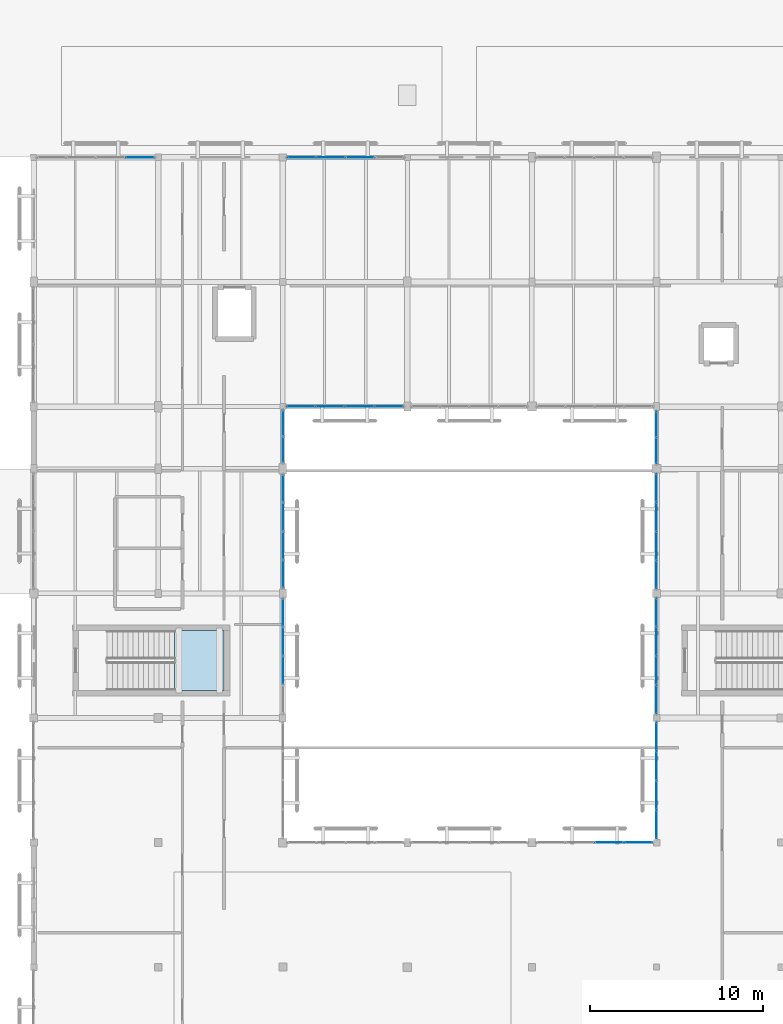
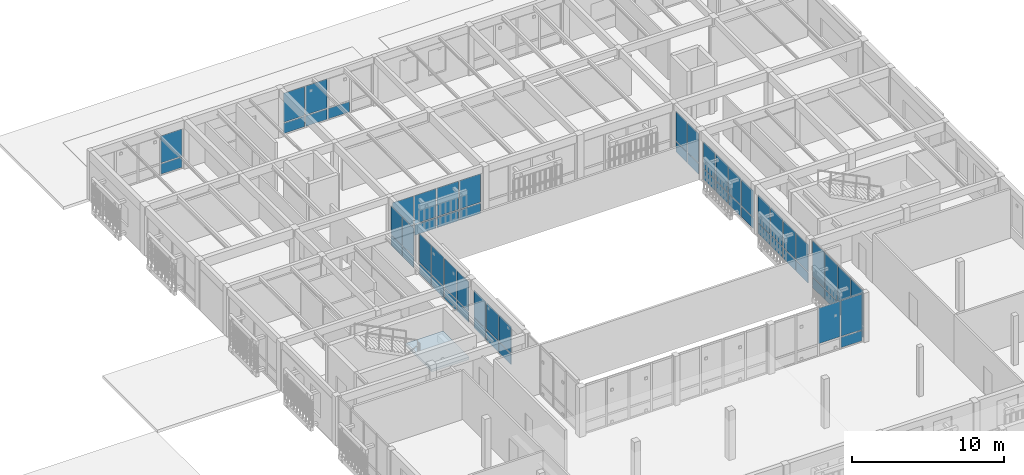
# One storey, part 77 of 112: 64 plates, 1 slab, 12 elements without a shape of their own.
"""IFC4 building model written with IfcOpenShell, lengths in metres."""

from ifc_helpers import new_model, si_unit, direction, frame, origin, origin_2d, place, context, subcontext, project, spatial, polyline, rectangle, outline, extrude, material, layer, layer_set, type_object, element, aggregate, save


model = new_model("IFC4")

# Units and contexts
model_context = context("Model", 3, precision=1e-05, world=origin(), true_north=direction((0.0, 1.0)))
body_context = subcontext(model_context, "Body", "Model", "MODEL_VIEW")
ifc_project = project(units=[si_unit("LENGTHUNIT", "METRE"), si_unit("AREAUNIT", "SQUARE_METRE"), si_unit("VOLUMEUNIT", "CUBIC_METRE"), si_unit("PLANEANGLEUNIT", "RADIAN"), si_unit("MASSUNIT", "GRAM", prefix="KILO")], contexts=[model_context])

# Site, building, storey
site_placement = place(None, origin())
site = spatial("IfcSite", under=ifc_project, at=site_placement, CompositionType="ELEMENT")
building_placement = place(site_placement, origin())
building = spatial("IfcBuilding", under=site, at=building_placement, Name="Mazaris Harbour Polytechnic", CompositionType="ELEMENT")
storey_placement = place(building_placement, frame((0.0, 0.0, 13.800048828125)))
storey = spatial("IfcBuildingStorey", under=building, at=storey_placement, Name="L03", CompositionType="ELEMENT", Elevation=13.800048828125)

# Stair, slab
ifc_material_1 = material(Name="Concrete C40/50", Category="concrete")
stair_type = type_object("IfcStairType", Name="Core Exit Stair H4200", PredefinedType="HALF_TURN_STAIR", material=ifc_material_1)
stair_placement = place(storey_placement, origin())
stair = element("IfcStair", 1, at=stair_placement, inside=storey, type_object=stair_type, Name="L03 ST09", PredefinedType="HALF_TURN_STAIR")
ifc_material_2 = material(Name="Concrete C40/50", Category="concrete")
ifc_layer_1 = layer(ifc_material_2, 0.199951171875, Name="Concrete C40/50")
ifc_layer_set_1 = layer_set([ifc_layer_1], Name="Concrete C40/50")
slab_type = type_object("IfcSlabType", Name="RC Stair Landing 200", PredefinedType="LANDING", material=ifc_layer_set_1)
slab_placement = place(storey_placement, frame((0.0, 0.0, 1.89990234375)))
slab = element("IfcSlab", 2, at=slab_placement, type_object=slab_type, Name="ST09 landing 1", PredefinedType="LANDING", context=body_context, shape_type="SweptSolid", body=[
    extrude(outline(polyline([(130.550048828125, 70.0), (133.39990234375, 70.0), (133.39990234375, 73.449951171875), (130.550048828125, 73.449951171875), (130.550048828125, 70.0)])), origin(), (0.0, 0.0, 1.0), 0.199951171875),
])
aggregate(stair, [slab])

# Curtain wall, plates
ifc_material_3 = material(Name="Anodised Bronze Aluminium and Low-E Glass", Category="aluminium")
ifc_layer_2 = layer(ifc_material_3, 0.169921875, Name="Anodised Bronze Aluminium and Low-E Glass")
ifc_layer_set_2 = layer_set([ifc_layer_2], Name="Anodised Bronze Aluminium and Low-E Glass")
curtain_wall_type = type_object("IfcCurtainWallType", Name="Studio North-Light Curtain Wall", PredefinedType="NOTDEFINED", material=ifc_layer_set_2)
curtain_wall_1_placement = place(storey_placement, origin())
curtain_wall_1 = element("IfcCurtainWall", 3, at=curtain_wall_1_placement, inside=storey, type_object=curtain_wall_type, Name="V5 L03 Curtain Wall 249", PredefinedType="NOTDEFINED")
ifc_material_4 = material(Name="Solar-Control Low-E Glazing", Category="glass")
ifc_layer_3 = layer(ifc_material_4, 0.031982421875, Name="Solar-Control Low-E Glazing")
ifc_layer_set_3 = layer_set([ifc_layer_3], Name="Solar-Control Low-E Glazing")
plate_type = type_object("IfcPlateType", Name="Solar Control Studio Glass Panel 32", PredefinedType="CURTAIN_PANEL", material=ifc_layer_set_3)
plate_1_placement = place(storey_placement, frame((128.541015625, 100.800048828125, 0.079833984375), z_axis=(0.0, 0.0, 1.0), x_axis=(1.0, 0.0, 0.0)))
plate_1 = element("IfcPlate", 4, at=plate_1_placement, type_object=plate_type, Name="CW-03 panel 4.1", PredefinedType="CURTAIN_PANEL", context=body_context, shape_type="SweptSolid", body=[
    extrude(rectangle(XDim=1.593994140625, YDim=0.031982421875, at=origin_2d()), origin(), (0.0, 0.0, 1.0), 0.830078125),
])
plate_2_placement = place(storey_placement, frame((128.541015625, 100.800048828125, 0.98974609375), z_axis=(0.0, 0.0, 1.0), x_axis=(1.0, 0.0, 0.0)))
plate_2 = element("IfcPlate", 5, at=plate_2_placement, type_object=plate_type, Name="CW-03 panel 4.2", PredefinedType="CURTAIN_PANEL", context=body_context, shape_type="SweptSolid", body=[
    extrude(rectangle(XDim=1.593994140625, YDim=0.031982421875, at=origin_2d()), origin(), (0.0, 0.0, 1.0), 2.175048828125),
])
aggregate(curtain_wall_1, [plate_1, plate_2])

curtain_wall_2_placement = place(storey_placement, origin())
curtain_wall_2 = element("IfcCurtainWall", 6, at=curtain_wall_2_placement, inside=storey, type_object=curtain_wall_type, Name="V5 L03 Curtain Wall 250", PredefinedType="NOTDEFINED")
plate_3_placement = place(storey_placement, frame((137.87646484375, 100.800048828125, 0.079833984375), z_axis=(0.0, 0.0, 1.0), x_axis=(1.0, 0.0, 0.0)))
plate_3 = element("IfcPlate", 7, at=plate_3_placement, type_object=plate_type, Name="CW-03 panel 1.1", PredefinedType="CURTAIN_PANEL", context=body_context, shape_type="SweptSolid", body=[
    extrude(rectangle(XDim=1.589111328125, YDim=0.031982421875, at=origin_2d()), origin(), (0.0, 0.0, 1.0), 0.830078125),
])
plate_4_placement = place(storey_placement, frame((137.87646484375, 100.800048828125, 0.989990234375), z_axis=(0.0, 0.0, 1.0), x_axis=(1.0, 0.0, 0.0)))
plate_4 = element("IfcPlate", 8, at=plate_4_placement, type_object=plate_type, Name="CW-03 panel 1.2", PredefinedType="CURTAIN_PANEL", context=body_context, shape_type="SweptSolid", body=[
    extrude(rectangle(XDim=1.589111328125, YDim=0.031982421875, at=origin_2d()), origin(), (0.0, 0.0, 1.0), 2.3349609375),
])
plate_5_placement = place(storey_placement, frame((139.5654296875, 100.800048828125, 0.079833984375), z_axis=(0.0, 0.0, 1.0), x_axis=(1.0, 0.0, 0.0)))
plate_5 = element("IfcPlate", 9, at=plate_5_placement, type_object=plate_type, Name="CW-03 panel 2.1", PredefinedType="CURTAIN_PANEL", context=body_context, shape_type="SweptSolid", body=[
    extrude(rectangle(XDim=1.62890625, YDim=0.031982421875, at=origin_2d()), origin(), (0.0, 0.0, 1.0), 0.830078125),
])
plate_6_placement = place(storey_placement, frame((139.5654296875, 100.800048828125, 0.989990234375), z_axis=(0.0, 0.0, 1.0), x_axis=(1.0, 0.0, 0.0)))
plate_6 = element("IfcPlate", 10, at=plate_6_placement, type_object=plate_type, Name="CW-03 panel 2.2", PredefinedType="CURTAIN_PANEL", context=body_context, shape_type="SweptSolid", body=[
    extrude(rectangle(XDim=1.62890625, YDim=0.031982421875, at=origin_2d()), origin(), (0.0, 0.0, 1.0), 2.3349609375),
])
plate_7_placement = place(storey_placement, frame((141.2744140625, 100.800048828125, 0.079833984375), z_axis=(0.0, 0.0, 1.0), x_axis=(1.0, 0.0, 0.0)))
plate_7 = element("IfcPlate", 11, at=plate_7_placement, type_object=plate_type, Name="CW-03 panel 3.1", PredefinedType="CURTAIN_PANEL", context=body_context, shape_type="SweptSolid", body=[
    extrude(rectangle(XDim=1.62890625, YDim=0.031982421875, at=origin_2d()), origin(), (0.0, 0.0, 1.0), 0.830078125),
])
aggregate(curtain_wall_2, [plate_3, plate_4, plate_5, plate_6, plate_7])

curtain_wall_3_placement = place(storey_placement, origin())
curtain_wall_3 = element("IfcCurtainWall", 12, at=curtain_wall_3_placement, inside=storey, type_object=curtain_wall_type, Name="V5 L03 Curtain Wall 259", PredefinedType="NOTDEFINED")
plate_8_placement = place(storey_placement, frame((155.66943359375, 61.199951171875, 0.98974609375), z_axis=(0.0, 0.0, 1.0), x_axis=(1.0, 0.0, 0.0)))
plate_8 = element("IfcPlate", 13, at=plate_8_placement, type_object=plate_type, Name="CW-03 panel 3.2", PredefinedType="CURTAIN_PANEL", context=body_context, shape_type="SweptSolid", body=[
    extrude(rectangle(XDim=1.618896484375, YDim=0.031982421875, at=origin_2d()), origin(), (0.0, 0.0, 1.0), 2.864990234375),
])
plate_9_placement = place(storey_placement, frame((157.348388671875, 61.199951171875, 0.079833984375), z_axis=(0.0, 0.0, 1.0), x_axis=(1.0, 0.0, 0.0)))
plate_9 = element("IfcPlate", 14, at=plate_9_placement, type_object=plate_type, Name="CW-03 panel 4.1", PredefinedType="CURTAIN_PANEL", context=body_context, shape_type="SweptSolid", body=[
    extrude(rectangle(XDim=1.5791015625, YDim=0.031982421875, at=origin_2d()), origin(), (0.0, 0.0, 1.0), 0.830078125),
])
plate_10_placement = place(storey_placement, frame((157.348388671875, 61.199951171875, 0.98974609375), z_axis=(0.0, 0.0, 1.0), x_axis=(1.0, 0.0, 0.0)))
plate_10 = element("IfcPlate", 15, at=plate_10_placement, type_object=plate_type, Name="CW-03 panel 4.2", PredefinedType="CURTAIN_PANEL", context=body_context, shape_type="SweptSolid", body=[
    extrude(rectangle(XDim=1.5791015625, YDim=0.031982421875, at=origin_2d()), origin(), (0.0, 0.0, 1.0), 2.864990234375),
])
aggregate(curtain_wall_3, [plate_8, plate_9, plate_10])

curtain_wall_4_placement = place(storey_placement, origin())
curtain_wall_4 = element("IfcCurtainWall", 16, at=curtain_wall_4_placement, inside=storey, type_object=curtain_wall_type, Name="V5 L03 Curtain Wall 260", PredefinedType="NOTDEFINED")
plate_11_placement = place(storey_placement, frame((142.93212890625, 86.39990234375, 0.079833984375), z_axis=(0.0, 0.0, 1.0), x_axis=(-1.0, 0.0, 0.0)))
plate_11 = element("IfcPlate", 17, at=plate_11_placement, type_object=plate_type, Name="CW-03 panel 1.1", PredefinedType="CURTAIN_PANEL", context=body_context, shape_type="SweptSolid", body=[
    extrude(rectangle(XDim=1.591552734375, YDim=0.031982421875, at=origin_2d()), origin(), (0.0, 0.0, 1.0), 0.830078125),
])
plate_12_placement = place(storey_placement, frame((142.93212890625, 86.39990234375, 0.989990234375), z_axis=(0.0, 0.0, 1.0), x_axis=(-1.0, 0.0, 0.0)))
plate_12 = element("IfcPlate", 18, at=plate_12_placement, type_object=plate_type, Name="CW-03 panel 1.2", PredefinedType="CURTAIN_PANEL", context=body_context, shape_type="SweptSolid", body=[
    extrude(rectangle(XDim=1.591552734375, YDim=0.031982421875, at=origin_2d()), origin(), (0.0, 0.0, 1.0), 2.27490234375),
])
plate_13_placement = place(storey_placement, frame((141.24072265625, 86.39990234375, 0.079833984375), z_axis=(0.0, 0.0, 1.0), x_axis=(-1.0, 0.0, 0.0)))
plate_13 = element("IfcPlate", 19, at=plate_13_placement, type_object=plate_type, Name="CW-03 panel 2.1", PredefinedType="CURTAIN_PANEL", context=body_context, shape_type="SweptSolid", body=[
    extrude(rectangle(XDim=1.631591796875, YDim=0.031982421875, at=origin_2d()), origin(), (0.0, 0.0, 1.0), 0.830078125),
])
plate_14_placement = place(storey_placement, frame((141.24072265625, 86.39990234375, 0.989990234375), z_axis=(0.0, 0.0, 1.0), x_axis=(-1.0, 0.0, 0.0)))
plate_14 = element("IfcPlate", 20, at=plate_14_placement, type_object=plate_type, Name="CW-03 panel 2.2", PredefinedType="CURTAIN_PANEL", context=body_context, shape_type="SweptSolid", body=[
    extrude(rectangle(XDim=1.631591796875, YDim=0.031982421875, at=origin_2d()), origin(), (0.0, 0.0, 1.0), 2.27490234375),
])
plate_15_placement = place(storey_placement, frame((139.529296875, 86.39990234375, 0.079833984375), z_axis=(0.0, 0.0, 1.0), x_axis=(-1.0, 0.0, 0.0)))
plate_15 = element("IfcPlate", 21, at=plate_15_placement, type_object=plate_type, Name="CW-03 panel 3.1", PredefinedType="CURTAIN_PANEL", context=body_context, shape_type="SweptSolid", body=[
    extrude(rectangle(XDim=1.631591796875, YDim=0.031982421875, at=origin_2d()), origin(), (0.0, 0.0, 1.0), 0.830078125),
])
plate_16_placement = place(storey_placement, frame((139.529296875, 86.39990234375, 0.989990234375), z_axis=(0.0, 0.0, 1.0), x_axis=(-1.0, 0.0, 0.0)))
plate_16 = element("IfcPlate", 22, at=plate_16_placement, type_object=plate_type, Name="CW-03 panel 3.2", PredefinedType="CURTAIN_PANEL", context=body_context, shape_type="SweptSolid", body=[
    extrude(rectangle(XDim=1.631591796875, YDim=0.031982421875, at=origin_2d()), origin(), (0.0, 0.0, 1.0), 2.27490234375),
])
plate_17_placement = place(storey_placement, frame((137.837646484375, 86.39990234375, 0.079833984375), z_axis=(0.0, 0.0, 1.0), x_axis=(-1.0, 0.0, 0.0)))
plate_17 = element("IfcPlate", 23, at=plate_17_placement, type_object=plate_type, Name="CW-03 panel 4.1", PredefinedType="CURTAIN_PANEL", context=body_context, shape_type="SweptSolid", body=[
    extrude(rectangle(XDim=1.591552734375, YDim=0.031982421875, at=origin_2d()), origin(), (0.0, 0.0, 1.0), 0.830078125),
])
plate_18_placement = place(storey_placement, frame((137.837646484375, 86.39990234375, 0.989990234375), z_axis=(0.0, 0.0, 1.0), x_axis=(-1.0, 0.0, 0.0)))
plate_18 = element("IfcPlate", 24, at=plate_18_placement, type_object=plate_type, Name="CW-03 panel 4.2", PredefinedType="CURTAIN_PANEL", context=body_context, shape_type="SweptSolid", body=[
    extrude(rectangle(XDim=1.591552734375, YDim=0.031982421875, at=origin_2d()), origin(), (0.0, 0.0, 1.0), 2.27490234375),
])
aggregate(curtain_wall_4, [plate_11, plate_12, plate_13, plate_14, plate_15, plate_16, plate_17, plate_18])

curtain_wall_5_placement = place(storey_placement, origin())
curtain_wall_5 = element("IfcCurtainWall", 25, at=curtain_wall_5_placement, inside=storey, type_object=curtain_wall_type, Name="V5 L03 Curtain Wall 264", PredefinedType="NOTDEFINED")
plate_19_placement = place(storey_placement, frame((136.800048828125, 71.146728515625, 0.079833984375), z_axis=(0.0, 0.0, 1.0), x_axis=(0.0, 1.0, 0.0)))
plate_19 = element("IfcPlate", 26, at=plate_19_placement, type_object=plate_type, Name="CW-03 panel 2.1", PredefinedType="CURTAIN_PANEL", context=body_context, shape_type="SweptSolid", body=[
    extrude(rectangle(XDim=1.596435546875, YDim=0.031982421875, at=origin_2d()), origin(), (0.0, 0.0, 1.0), 0.830078125),
])
plate_20_placement = place(storey_placement, frame((136.800048828125, 71.146728515625, 0.98974609375), z_axis=(0.0, 0.0, 1.0), x_axis=(0.0, 1.0, 0.0)))
plate_20 = element("IfcPlate", 27, at=plate_20_placement, type_object=plate_type, Name="CW-03 panel 2.2", PredefinedType="CURTAIN_PANEL", context=body_context, shape_type="SweptSolid", body=[
    extrude(rectangle(XDim=1.596435546875, YDim=0.031982421875, at=origin_2d()), origin(), (0.0, 0.0, 1.0), 2.114990234375),
])
plate_21_placement = place(storey_placement, frame((136.800048828125, 72.8232421875, 0.079833984375), z_axis=(0.0, 0.0, 1.0), x_axis=(0.0, 1.0, 0.0)))
plate_21 = element("IfcPlate", 28, at=plate_21_placement, type_object=plate_type, Name="CW-03 panel 3.1", PredefinedType="CURTAIN_PANEL", context=body_context, shape_type="SweptSolid", body=[
    extrude(rectangle(XDim=1.596435546875, YDim=0.031982421875, at=origin_2d()), origin(), (0.0, 0.0, 1.0), 0.830078125),
])
plate_22_placement = place(storey_placement, frame((136.800048828125, 72.8232421875, 0.98974609375), z_axis=(0.0, 0.0, 1.0), x_axis=(0.0, 1.0, 0.0)))
plate_22 = element("IfcPlate", 29, at=plate_22_placement, type_object=plate_type, Name="CW-03 panel 3.2", PredefinedType="CURTAIN_PANEL", context=body_context, shape_type="SweptSolid", body=[
    extrude(rectangle(XDim=1.596435546875, YDim=0.031982421875, at=origin_2d()), origin(), (0.0, 0.0, 1.0), 2.114990234375),
])
plate_23_placement = place(storey_placement, frame((136.800048828125, 74.479736328125, 0.079833984375), z_axis=(0.0, 0.0, 1.0), x_axis=(0.0, 1.0, 0.0)))
plate_23 = element("IfcPlate", 30, at=plate_23_placement, type_object=plate_type, Name="CW-03 panel 4.1", PredefinedType="CURTAIN_PANEL", context=body_context, shape_type="SweptSolid", body=[
    extrude(rectangle(XDim=1.556396484375, YDim=0.031982421875, at=origin_2d()), origin(), (0.0, 0.0, 1.0), 0.830078125),
])
plate_24_placement = place(storey_placement, frame((136.800048828125, 74.479736328125, 0.98974609375), z_axis=(0.0, 0.0, 1.0), x_axis=(0.0, 1.0, 0.0)))
plate_24 = element("IfcPlate", 31, at=plate_24_placement, type_object=plate_type, Name="CW-03 panel 4.2", PredefinedType="CURTAIN_PANEL", context=body_context, shape_type="SweptSolid", body=[
    extrude(rectangle(XDim=1.556396484375, YDim=0.031982421875, at=origin_2d()), origin(), (0.0, 0.0, 1.0), 2.114990234375),
])
aggregate(curtain_wall_5, [plate_19, plate_20, plate_21, plate_22, plate_23, plate_24])

curtain_wall_6_placement = place(storey_placement, origin())
curtain_wall_6 = element("IfcCurtainWall", 32, at=curtain_wall_6_placement, inside=storey, type_object=curtain_wall_type, Name="V5 L03 Curtain Wall 265", PredefinedType="NOTDEFINED")
plate_25_placement = place(storey_placement, frame((136.800048828125, 76.712646484375, 0.079833984375), z_axis=(0.0, 0.0, 1.0), x_axis=(0.0, 1.0, 0.0)))
plate_25 = element("IfcPlate", 33, at=plate_25_placement, type_object=plate_type, Name="CW-03 panel 1.1", PredefinedType="CURTAIN_PANEL", context=body_context, shape_type="SweptSolid", body=[
    extrude(rectangle(XDim=1.54150390625, YDim=0.031982421875, at=origin_2d()), origin(), (0.0, 0.0, 1.0), 0.830078125),
])
plate_26_placement = place(storey_placement, frame((136.800048828125, 76.712646484375, 0.989990234375), z_axis=(0.0, 0.0, 1.0), x_axis=(0.0, 1.0, 0.0)))
plate_26 = element("IfcPlate", 34, at=plate_26_placement, type_object=plate_type, Name="CW-03 panel 1.2", PredefinedType="CURTAIN_PANEL", context=body_context, shape_type="SweptSolid", body=[
    extrude(rectangle(XDim=1.54150390625, YDim=0.031982421875, at=origin_2d()), origin(), (0.0, 0.0, 1.0), 2.3349609375),
])
plate_27_placement = place(storey_placement, frame((136.800048828125, 78.354248046875, 0.079833984375), z_axis=(0.0, 0.0, 1.0), x_axis=(0.0, 1.0, 0.0)))
plate_27 = element("IfcPlate", 35, at=plate_27_placement, type_object=plate_type, Name="CW-03 panel 2.1", PredefinedType="CURTAIN_PANEL", context=body_context, shape_type="SweptSolid", body=[
    extrude(rectangle(XDim=1.58154296875, YDim=0.031982421875, at=origin_2d()), origin(), (0.0, 0.0, 1.0), 0.830078125),
])
plate_28_placement = place(storey_placement, frame((136.800048828125, 78.354248046875, 0.989990234375), z_axis=(0.0, 0.0, 1.0), x_axis=(0.0, 1.0, 0.0)))
plate_28 = element("IfcPlate", 36, at=plate_28_placement, type_object=plate_type, Name="CW-03 panel 2.2", PredefinedType="CURTAIN_PANEL", context=body_context, shape_type="SweptSolid", body=[
    extrude(rectangle(XDim=1.58154296875, YDim=0.031982421875, at=origin_2d()), origin(), (0.0, 0.0, 1.0), 2.3349609375),
])
plate_29_placement = place(storey_placement, frame((136.800048828125, 80.015869140625, 0.079833984375), z_axis=(0.0, 0.0, 1.0), x_axis=(0.0, 1.0, 0.0)))
plate_29 = element("IfcPlate", 37, at=plate_29_placement, type_object=plate_type, Name="CW-03 panel 3.1", PredefinedType="CURTAIN_PANEL", context=body_context, shape_type="SweptSolid", body=[
    extrude(rectangle(XDim=1.58154296875, YDim=0.031982421875, at=origin_2d()), origin(), (0.0, 0.0, 1.0), 0.830078125),
])
plate_30_placement = place(storey_placement, frame((136.800048828125, 80.015869140625, 0.989990234375), z_axis=(0.0, 0.0, 1.0), x_axis=(0.0, 1.0, 0.0)))
plate_30 = element("IfcPlate", 38, at=plate_30_placement, type_object=plate_type, Name="CW-03 panel 3.2", PredefinedType="CURTAIN_PANEL", context=body_context, shape_type="SweptSolid", body=[
    extrude(rectangle(XDim=1.58154296875, YDim=0.031982421875, at=origin_2d()), origin(), (0.0, 0.0, 1.0), 2.3349609375),
])
plate_31_placement = place(storey_placement, frame((136.800048828125, 81.6572265625, 0.079833984375), z_axis=(0.0, 0.0, 1.0), x_axis=(0.0, 1.0, 0.0)))
plate_31 = element("IfcPlate", 39, at=plate_31_placement, type_object=plate_type, Name="CW-03 panel 4.1", PredefinedType="CURTAIN_PANEL", context=body_context, shape_type="SweptSolid", body=[
    extrude(rectangle(XDim=1.54150390625, YDim=0.031982421875, at=origin_2d()), origin(), (0.0, 0.0, 1.0), 0.830078125),
])
plate_32_placement = place(storey_placement, frame((136.800048828125, 81.6572265625, 0.989990234375), z_axis=(0.0, 0.0, 1.0), x_axis=(0.0, 1.0, 0.0)))
plate_32 = element("IfcPlate", 40, at=plate_32_placement, type_object=plate_type, Name="CW-03 panel 4.2", PredefinedType="CURTAIN_PANEL", context=body_context, shape_type="SweptSolid", body=[
    extrude(rectangle(XDim=1.54150390625, YDim=0.031982421875, at=origin_2d()), origin(), (0.0, 0.0, 1.0), 2.3349609375),
])
aggregate(curtain_wall_6, [plate_25, plate_26, plate_27, plate_28, plate_29, plate_30, plate_31, plate_32])

curtain_wall_7_placement = place(storey_placement, origin())
curtain_wall_7 = element("IfcCurtainWall", 41, at=curtain_wall_7_placement, inside=storey, type_object=curtain_wall_type, Name="V5 L03 Curtain Wall 266", PredefinedType="NOTDEFINED")
plate_33_placement = place(storey_placement, frame((136.800048828125, 83.8984375, 0.079833984375), z_axis=(0.0, 0.0, 1.0), x_axis=(0.0, 1.0, 0.0)))
plate_33 = element("IfcPlate", 42, at=plate_33_placement, type_object=plate_type, Name="CW-03 panel 1.1", PredefinedType="CURTAIN_PANEL", context=body_context, shape_type="SweptSolid", body=[
    extrude(rectangle(XDim=1.452880859375, YDim=0.031982421875, at=origin_2d()), origin(), (0.0, 0.0, 1.0), 0.830078125),
])
plate_34_placement = place(storey_placement, frame((136.800048828125, 83.8984375, 0.989990234375), z_axis=(0.0, 0.0, 1.0), x_axis=(0.0, 1.0, 0.0)))
plate_34 = element("IfcPlate", 43, at=plate_34_placement, type_object=plate_type, Name="CW-03 panel 1.2", PredefinedType="CURTAIN_PANEL", context=body_context, shape_type="SweptSolid", body=[
    extrude(rectangle(XDim=1.452880859375, YDim=0.031982421875, at=origin_2d()), origin(), (0.0, 0.0, 1.0), 2.27490234375),
])
plate_35_placement = place(storey_placement, frame((136.800048828125, 85.431396484375, 0.079833984375), z_axis=(0.0, 0.0, 1.0), x_axis=(0.0, 1.0, 0.0)))
plate_35 = element("IfcPlate", 44, at=plate_35_placement, type_object=plate_type, Name="CW-03 panel 2.1", PredefinedType="CURTAIN_PANEL", context=body_context, shape_type="SweptSolid", body=[
    extrude(rectangle(XDim=1.452880859375, YDim=0.031982421875, at=origin_2d()), origin(), (0.0, 0.0, 1.0), 0.830078125),
])
plate_36_placement = place(storey_placement, frame((136.800048828125, 85.431396484375, 0.989990234375), z_axis=(0.0, 0.0, 1.0), x_axis=(0.0, 1.0, 0.0)))
plate_36 = element("IfcPlate", 45, at=plate_36_placement, type_object=plate_type, Name="CW-03 panel 2.2", PredefinedType="CURTAIN_PANEL", context=body_context, shape_type="SweptSolid", body=[
    extrude(rectangle(XDim=1.452880859375, YDim=0.031982421875, at=origin_2d()), origin(), (0.0, 0.0, 1.0), 2.27490234375),
])
aggregate(curtain_wall_7, [plate_33, plate_34, plate_35, plate_36])

curtain_wall_8_placement = place(storey_placement, origin())
curtain_wall_8 = element("IfcCurtainWall", 46, at=curtain_wall_8_placement, inside=storey, type_object=curtain_wall_type, Name="V5 L03 Curtain Wall 267", PredefinedType="NOTDEFINED")
plate_37_placement = place(storey_placement, frame((158.39990234375, 67.325927734375, 0.079833984375), z_axis=(0.0, 0.0, 1.0), x_axis=(0.0, -1.0, 0.0)))
plate_37 = element("IfcPlate", 47, at=plate_37_placement, type_object=plate_type, Name="CW-03 panel 1.1", PredefinedType="CURTAIN_PANEL", context=body_context, shape_type="SweptSolid", body=[
    extrude(rectangle(XDim=1.583984375, YDim=0.031982421875, at=origin_2d()), origin(), (0.0, 0.0, 1.0), 0.830078125),
])
plate_38_placement = place(storey_placement, frame((158.39990234375, 67.325927734375, 0.98974609375), z_axis=(0.0, 0.0, 1.0), x_axis=(0.0, -1.0, 0.0)))
plate_38 = element("IfcPlate", 48, at=plate_38_placement, type_object=plate_type, Name="CW-03 panel 1.2", PredefinedType="CURTAIN_PANEL", context=body_context, shape_type="SweptSolid", body=[
    extrude(rectangle(XDim=1.583984375, YDim=0.031982421875, at=origin_2d()), origin(), (0.0, 0.0, 1.0), 2.864990234375),
])
plate_39_placement = place(storey_placement, frame((158.39990234375, 65.64208984375, 0.079833984375), z_axis=(0.0, 0.0, 1.0), x_axis=(0.0, -1.0, 0.0)))
plate_39 = element("IfcPlate", 49, at=plate_39_placement, type_object=plate_type, Name="CW-03 panel 2.1", PredefinedType="CURTAIN_PANEL", context=body_context, shape_type="SweptSolid", body=[
    extrude(rectangle(XDim=1.6240234375, YDim=0.031982421875, at=origin_2d()), origin(), (0.0, 0.0, 1.0), 0.830078125),
])
plate_40_placement = place(storey_placement, frame((158.39990234375, 65.64208984375, 0.98974609375), z_axis=(0.0, 0.0, 1.0), x_axis=(0.0, -1.0, 0.0)))
plate_40 = element("IfcPlate", 50, at=plate_40_placement, type_object=plate_type, Name="CW-03 panel 2.2", PredefinedType="CURTAIN_PANEL", context=body_context, shape_type="SweptSolid", body=[
    extrude(rectangle(XDim=1.6240234375, YDim=0.031982421875, at=origin_2d()), origin(), (0.0, 0.0, 1.0), 2.864990234375),
])
plate_41_placement = place(storey_placement, frame((158.39990234375, 63.93798828125, 0.079833984375), z_axis=(0.0, 0.0, 1.0), x_axis=(0.0, -1.0, 0.0)))
plate_41 = element("IfcPlate", 51, at=plate_41_placement, type_object=plate_type, Name="CW-03 panel 3.1", PredefinedType="CURTAIN_PANEL", context=body_context, shape_type="SweptSolid", body=[
    extrude(rectangle(XDim=1.6240234375, YDim=0.031982421875, at=origin_2d()), origin(), (0.0, 0.0, 1.0), 0.830078125),
])
plate_42_placement = place(storey_placement, frame((158.39990234375, 63.93798828125, 0.98974609375), z_axis=(0.0, 0.0, 1.0), x_axis=(0.0, -1.0, 0.0)))
plate_42 = element("IfcPlate", 52, at=plate_42_placement, type_object=plate_type, Name="CW-03 panel 3.2", PredefinedType="CURTAIN_PANEL", context=body_context, shape_type="SweptSolid", body=[
    extrude(rectangle(XDim=1.6240234375, YDim=0.031982421875, at=origin_2d()), origin(), (0.0, 0.0, 1.0), 2.864990234375),
])
plate_43_placement = place(storey_placement, frame((158.39990234375, 62.25390625, 0.079833984375), z_axis=(0.0, 0.0, 1.0), x_axis=(0.0, -1.0, 0.0)))
plate_43 = element("IfcPlate", 53, at=plate_43_placement, type_object=plate_type, Name="CW-03 panel 4.1", PredefinedType="CURTAIN_PANEL", context=body_context, shape_type="SweptSolid", body=[
    extrude(rectangle(XDim=1.583984375, YDim=0.031982421875, at=origin_2d()), origin(), (0.0, 0.0, 1.0), 0.830078125),
])
plate_44_placement = place(storey_placement, frame((158.39990234375, 62.25390625, 0.98974609375), z_axis=(0.0, 0.0, 1.0), x_axis=(0.0, -1.0, 0.0)))
plate_44 = element("IfcPlate", 54, at=plate_44_placement, type_object=plate_type, Name="CW-03 panel 4.2", PredefinedType="CURTAIN_PANEL", context=body_context, shape_type="SweptSolid", body=[
    extrude(rectangle(XDim=1.583984375, YDim=0.031982421875, at=origin_2d()), origin(), (0.0, 0.0, 1.0), 2.864990234375),
])
aggregate(curtain_wall_8, [plate_37, plate_38, plate_39, plate_40, plate_41, plate_42, plate_43, plate_44])

curtain_wall_9_placement = place(storey_placement, origin())
curtain_wall_9 = element("IfcCurtainWall", 55, at=curtain_wall_9_placement, inside=storey, type_object=curtain_wall_type, Name="V5 L03 Curtain Wall 268", PredefinedType="NOTDEFINED")
plate_45_placement = place(storey_placement, frame((158.39990234375, 74.510986328125, 0.079833984375), z_axis=(0.0, 0.0, 1.0), x_axis=(0.0, -1.0, 0.0)))
plate_45 = element("IfcPlate", 56, at=plate_45_placement, type_object=plate_type, Name="CW-03 panel 1.1", PredefinedType="CURTAIN_PANEL", context=body_context, shape_type="SweptSolid", body=[
    extrude(rectangle(XDim=1.573974609375, YDim=0.031982421875, at=origin_2d()), origin(), (0.0, 0.0, 1.0), 0.830078125),
])
plate_46_placement = place(storey_placement, frame((158.39990234375, 74.510986328125, 0.98974609375), z_axis=(0.0, 0.0, 1.0), x_axis=(0.0, -1.0, 0.0)))
plate_46 = element("IfcPlate", 57, at=plate_46_placement, type_object=plate_type, Name="CW-03 panel 1.2", PredefinedType="CURTAIN_PANEL", context=body_context, shape_type="SweptSolid", body=[
    extrude(rectangle(XDim=1.573974609375, YDim=0.031982421875, at=origin_2d()), origin(), (0.0, 0.0, 1.0), 2.175048828125),
])
plate_47_placement = place(storey_placement, frame((158.39990234375, 72.8369140625, 0.079833984375), z_axis=(0.0, 0.0, 1.0), x_axis=(0.0, -1.0, 0.0)))
plate_47 = element("IfcPlate", 58, at=plate_47_placement, type_object=plate_type, Name="CW-03 panel 2.1", PredefinedType="CURTAIN_PANEL", context=body_context, shape_type="SweptSolid", body=[
    extrude(rectangle(XDim=1.614013671875, YDim=0.031982421875, at=origin_2d()), origin(), (0.0, 0.0, 1.0), 0.830078125),
])
plate_48_placement = place(storey_placement, frame((158.39990234375, 72.8369140625, 0.98974609375), z_axis=(0.0, 0.0, 1.0), x_axis=(0.0, -1.0, 0.0)))
plate_48 = element("IfcPlate", 59, at=plate_48_placement, type_object=plate_type, Name="CW-03 panel 2.2", PredefinedType="CURTAIN_PANEL", context=body_context, shape_type="SweptSolid", body=[
    extrude(rectangle(XDim=1.614013671875, YDim=0.031982421875, at=origin_2d()), origin(), (0.0, 0.0, 1.0), 2.175048828125),
])
plate_49_placement = place(storey_placement, frame((158.39990234375, 71.14306640625, 0.079833984375), z_axis=(0.0, 0.0, 1.0), x_axis=(0.0, -1.0, 0.0)))
plate_49 = element("IfcPlate", 60, at=plate_49_placement, type_object=plate_type, Name="CW-03 panel 3.1", PredefinedType="CURTAIN_PANEL", context=body_context, shape_type="SweptSolid", body=[
    extrude(rectangle(XDim=1.614013671875, YDim=0.031982421875, at=origin_2d()), origin(), (0.0, 0.0, 1.0), 0.830078125),
])
plate_50_placement = place(storey_placement, frame((158.39990234375, 71.14306640625, 0.98974609375), z_axis=(0.0, 0.0, 1.0), x_axis=(0.0, -1.0, 0.0)))
plate_50 = element("IfcPlate", 61, at=plate_50_placement, type_object=plate_type, Name="CW-03 panel 3.2", PredefinedType="CURTAIN_PANEL", context=body_context, shape_type="SweptSolid", body=[
    extrude(rectangle(XDim=1.614013671875, YDim=0.031982421875, at=origin_2d()), origin(), (0.0, 0.0, 1.0), 2.175048828125),
])
plate_51_placement = place(storey_placement, frame((158.39990234375, 69.468994140625, 0.079833984375), z_axis=(0.0, 0.0, 1.0), x_axis=(0.0, -1.0, 0.0)))
plate_51 = element("IfcPlate", 62, at=plate_51_placement, type_object=plate_type, Name="CW-03 panel 4.1", PredefinedType="CURTAIN_PANEL", context=body_context, shape_type="SweptSolid", body=[
    extrude(rectangle(XDim=1.573974609375, YDim=0.031982421875, at=origin_2d()), origin(), (0.0, 0.0, 1.0), 0.830078125),
])
plate_52_placement = place(storey_placement, frame((158.39990234375, 69.468994140625, 0.98974609375), z_axis=(0.0, 0.0, 1.0), x_axis=(0.0, -1.0, 0.0)))
plate_52 = element("IfcPlate", 63, at=plate_52_placement, type_object=plate_type, Name="CW-03 panel 4.2", PredefinedType="CURTAIN_PANEL", context=body_context, shape_type="SweptSolid", body=[
    extrude(rectangle(XDim=1.573974609375, YDim=0.031982421875, at=origin_2d()), origin(), (0.0, 0.0, 1.0), 2.175048828125),
])
aggregate(curtain_wall_9, [plate_45, plate_46, plate_47, plate_48, plate_49, plate_50, plate_51, plate_52])

curtain_wall_10_placement = place(storey_placement, origin())
curtain_wall_10 = element("IfcCurtainWall", 64, at=curtain_wall_10_placement, inside=storey, type_object=curtain_wall_type, Name="V5 L03 Curtain Wall 269", PredefinedType="NOTDEFINED")
plate_53_placement = place(storey_placement, frame((158.39990234375, 81.696044921875, 0.079833984375), z_axis=(0.0, 0.0, 1.0), x_axis=(0.0, -1.0, 0.0)))
plate_53 = element("IfcPlate", 65, at=plate_53_placement, type_object=plate_type, Name="CW-03 panel 1.1", PredefinedType="CURTAIN_PANEL", context=body_context, shape_type="SweptSolid", body=[
    extrude(rectangle(XDim=1.56396484375, YDim=0.031982421875, at=origin_2d()), origin(), (0.0, 0.0, 1.0), 0.830078125),
])
plate_54_placement = place(storey_placement, frame((158.39990234375, 81.696044921875, 0.98974609375), z_axis=(0.0, 0.0, 1.0), x_axis=(0.0, -1.0, 0.0)))
plate_54 = element("IfcPlate", 66, at=plate_54_placement, type_object=plate_type, Name="CW-03 panel 1.2", PredefinedType="CURTAIN_PANEL", context=body_context, shape_type="SweptSolid", body=[
    extrude(rectangle(XDim=1.56396484375, YDim=0.031982421875, at=origin_2d()), origin(), (0.0, 0.0, 1.0), 2.114990234375),
])
plate_55_placement = place(storey_placement, frame((158.39990234375, 80.031982421875, 0.079833984375), z_axis=(0.0, 0.0, 1.0), x_axis=(0.0, -1.0, 0.0)))
plate_55 = element("IfcPlate", 67, at=plate_55_placement, type_object=plate_type, Name="CW-03 panel 2.1", PredefinedType="CURTAIN_PANEL", context=body_context, shape_type="SweptSolid", body=[
    extrude(rectangle(XDim=1.60400390625, YDim=0.031982421875, at=origin_2d()), origin(), (0.0, 0.0, 1.0), 0.830078125),
])
plate_56_placement = place(storey_placement, frame((158.39990234375, 80.031982421875, 0.98974609375), z_axis=(0.0, 0.0, 1.0), x_axis=(0.0, -1.0, 0.0)))
plate_56 = element("IfcPlate", 68, at=plate_56_placement, type_object=plate_type, Name="CW-03 panel 2.2", PredefinedType="CURTAIN_PANEL", context=body_context, shape_type="SweptSolid", body=[
    extrude(rectangle(XDim=1.60400390625, YDim=0.031982421875, at=origin_2d()), origin(), (0.0, 0.0, 1.0), 2.114990234375),
])
plate_57_placement = place(storey_placement, frame((158.39990234375, 78.347900390625, 0.079833984375), z_axis=(0.0, 0.0, 1.0), x_axis=(0.0, -1.0, 0.0)))
plate_57 = element("IfcPlate", 69, at=plate_57_placement, type_object=plate_type, Name="CW-03 panel 3.1", PredefinedType="CURTAIN_PANEL", context=body_context, shape_type="SweptSolid", body=[
    extrude(rectangle(XDim=1.60400390625, YDim=0.031982421875, at=origin_2d()), origin(), (0.0, 0.0, 1.0), 0.830078125),
])
plate_58_placement = place(storey_placement, frame((158.39990234375, 78.347900390625, 0.98974609375), z_axis=(0.0, 0.0, 1.0), x_axis=(0.0, -1.0, 0.0)))
plate_58 = element("IfcPlate", 70, at=plate_58_placement, type_object=plate_type, Name="CW-03 panel 3.2", PredefinedType="CURTAIN_PANEL", context=body_context, shape_type="SweptSolid", body=[
    extrude(rectangle(XDim=1.60400390625, YDim=0.031982421875, at=origin_2d()), origin(), (0.0, 0.0, 1.0), 2.114990234375),
])
plate_59_placement = place(storey_placement, frame((158.39990234375, 76.68408203125, 0.079833984375), z_axis=(0.0, 0.0, 1.0), x_axis=(0.0, -1.0, 0.0)))
plate_59 = element("IfcPlate", 71, at=plate_59_placement, type_object=plate_type, Name="CW-03 panel 4.1", PredefinedType="CURTAIN_PANEL", context=body_context, shape_type="SweptSolid", body=[
    extrude(rectangle(XDim=1.56396484375, YDim=0.031982421875, at=origin_2d()), origin(), (0.0, 0.0, 1.0), 0.830078125),
])
plate_60_placement = place(storey_placement, frame((158.39990234375, 76.68408203125, 0.98974609375), z_axis=(0.0, 0.0, 1.0), x_axis=(0.0, -1.0, 0.0)))
plate_60 = element("IfcPlate", 72, at=plate_60_placement, type_object=plate_type, Name="CW-03 panel 4.2", PredefinedType="CURTAIN_PANEL", context=body_context, shape_type="SweptSolid", body=[
    extrude(rectangle(XDim=1.56396484375, YDim=0.031982421875, at=origin_2d()), origin(), (0.0, 0.0, 1.0), 2.114990234375),
])
aggregate(curtain_wall_10, [plate_53, plate_54, plate_55, plate_56, plate_57, plate_58, plate_59, plate_60])

curtain_wall_11_placement = place(storey_placement, origin())
curtain_wall_11 = element("IfcCurtainWall", 73, at=curtain_wall_11_placement, inside=storey, type_object=curtain_wall_type, Name="V5 L03 Curtain Wall 270", PredefinedType="NOTDEFINED")
plate_61_placement = place(storey_placement, frame((158.39990234375, 85.366455078125, 0.079833984375), z_axis=(0.0, 0.0, 1.0), x_axis=(0.0, -1.0, 0.0)))
plate_61 = element("IfcPlate", 74, at=plate_61_placement, type_object=plate_type, Name="CW-03 panel 1.1", PredefinedType="CURTAIN_PANEL", context=body_context, shape_type="SweptSolid", body=[
    extrude(rectangle(XDim=1.443115234375, YDim=0.031982421875, at=origin_2d()), origin(), (0.0, 0.0, 1.0), 0.830078125),
])
plate_62_placement = place(storey_placement, frame((158.39990234375, 85.366455078125, 0.989990234375), z_axis=(0.0, 0.0, 1.0), x_axis=(0.0, -1.0, 0.0)))
plate_62 = element("IfcPlate", 75, at=plate_62_placement, type_object=plate_type, Name="CW-03 panel 1.2", PredefinedType="CURTAIN_PANEL", context=body_context, shape_type="SweptSolid", body=[
    extrude(rectangle(XDim=1.443115234375, YDim=0.031982421875, at=origin_2d()), origin(), (0.0, 0.0, 1.0), 2.3349609375),
])
plate_63_placement = place(storey_placement, frame((158.39990234375, 83.843505859375, 0.079833984375), z_axis=(0.0, 0.0, 1.0), x_axis=(0.0, -1.0, 0.0)))
plate_63 = element("IfcPlate", 76, at=plate_63_placement, type_object=plate_type, Name="CW-03 panel 2.1", PredefinedType="CURTAIN_PANEL", context=body_context, shape_type="SweptSolid", body=[
    extrude(rectangle(XDim=1.443115234375, YDim=0.031982421875, at=origin_2d()), origin(), (0.0, 0.0, 1.0), 0.830078125),
])
plate_64_placement = place(storey_placement, frame((158.39990234375, 83.843505859375, 0.989990234375), z_axis=(0.0, 0.0, 1.0), x_axis=(0.0, -1.0, 0.0)))
plate_64 = element("IfcPlate", 77, at=plate_64_placement, type_object=plate_type, Name="CW-03 panel 2.2", PredefinedType="CURTAIN_PANEL", context=body_context, shape_type="SweptSolid", body=[
    extrude(rectangle(XDim=1.443115234375, YDim=0.031982421875, at=origin_2d()), origin(), (0.0, 0.0, 1.0), 2.3349609375),
])
aggregate(curtain_wall_11, [plate_61, plate_62, plate_63, plate_64])

save(model, "model.ifc")
